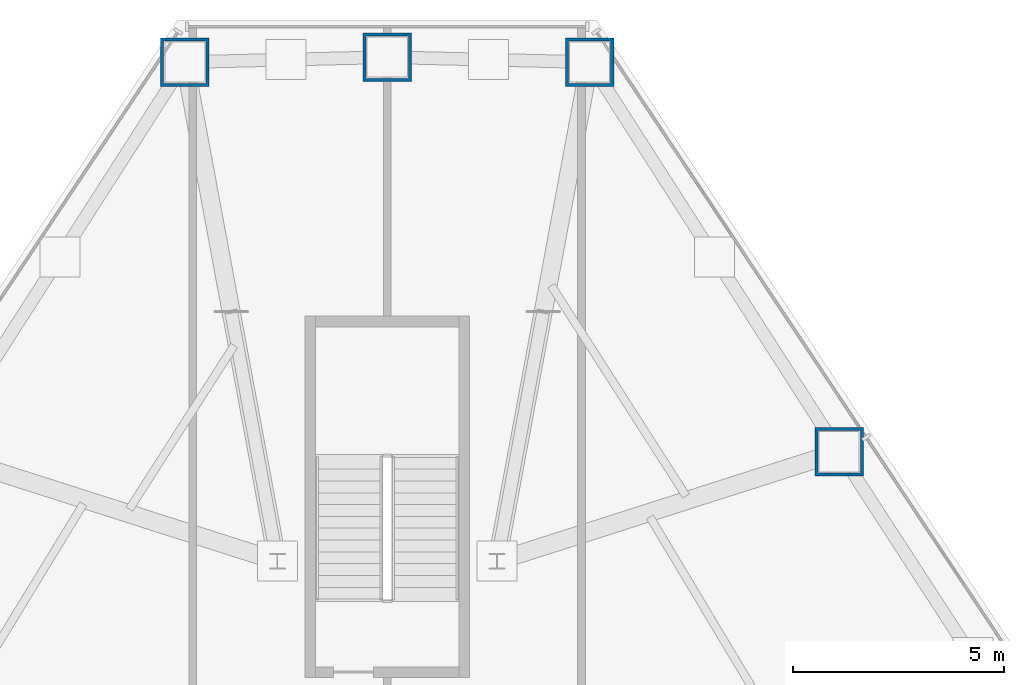
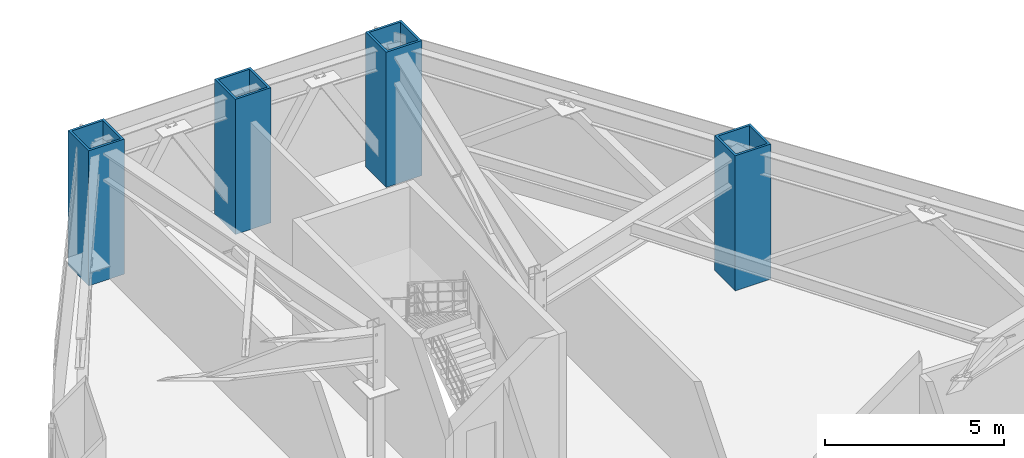
# One storey, part 3 of 12: 4 columns.
"""IFC4 building model written with IfcOpenShell, lengths in metres."""

from ifc_helpers import new_model, si_unit, direction, frame, origin, origin_2d, place, context, subcontext, project, spatial, hollow_rectangle, extrude, material, material_profile, profile_set, type_object, element, save


model = new_model("IFC4")

# Units and contexts
model_context = context("Model", 3, precision=1e-05, world=origin(), true_north=direction((0.0, 1.0)))
body_context = subcontext(model_context, "Body", "Model", "MODEL_VIEW")
ifc_project = project(units=[si_unit("LENGTHUNIT", "METRE"), si_unit("AREAUNIT", "SQUARE_METRE"), si_unit("VOLUMEUNIT", "CUBIC_METRE"), si_unit("PLANEANGLEUNIT", "RADIAN"), si_unit("MASSUNIT", "GRAM", prefix="KILO")], contexts=[model_context])

# Site, building, storey
site_placement = place(None, origin())
site = spatial("IfcSite", under=ifc_project, at=site_placement, CompositionType="ELEMENT")
building_placement = place(site_placement, origin())
building = spatial("IfcBuilding", under=site, at=building_placement, Name="Varakhsha Concourse Tower", CompositionType="ELEMENT")
storey_placement = place(building_placement, frame((0.0, 0.0, 68.800048828125)))
storey = spatial("IfcBuildingStorey", under=building, at=storey_placement, Name="L19", CompositionType="ELEMENT", Elevation=68.800048828125)

# Columns
ifc_material = material(Name="Structural Steel ASTM A572 Grade 50", Category="steel")
ifc_material_profile = material_profile(ifc_material, hollow_rectangle(XDim=1.14990234375, YDim=1.14990234375, WallThickness=0.074951171875, at=origin_2d()), Name="BOX 1150x1150x75")
ifc_profile_set = profile_set([ifc_material_profile], Name="Structural Steel ASTM A572 Grade 50")
column_type = type_object("IfcColumnType", Name="CL-TUBE-1150", PredefinedType="COLUMN", material=ifc_profile_set)
for number, where, z_axis, x_axis, name in (
    (1, (44.791015625, 53.015625, 0.0), (0.0, 0.0, 1.0), (1.0, 0.0, 0.0), "L19 Framed-Tube Column TC01"),
    (2, (40.0, 53.134033203125, 0.0), (0.0, 0.0, 1.0), (1.0, 0.0, 0.0), "L19 Framed-Tube Column TC02"),
    (3, (35.208984375, 53.015625, 0.0), (0.0, 0.0, 1.0), (1.0, 0.0, 0.0), "L19 Framed-Tube Column TC03"),
    (4, (50.701416015625, 43.7900390625, 0.0), (0.0, 0.0, 1.0), (1.0, 0.0, 0.0), "L19 Framed-Tube Column TC18"),
):
    element("IfcColumn", number, at=place(storey_placement, frame(where, z_axis=z_axis, x_axis=x_axis)), inside=storey, type_object=column_type, Name=name, PredefinedType="COLUMN", context=body_context, shape_type="SweptSolid", body=[
        extrude(hollow_rectangle(XDim=1.14990234375, YDim=1.14990234375, WallThickness=0.074951171875, at=origin_2d()), origin(), (0.0, 0.0, 1.0), 4.599853515625),
    ])

save(model, "model.ifc")
